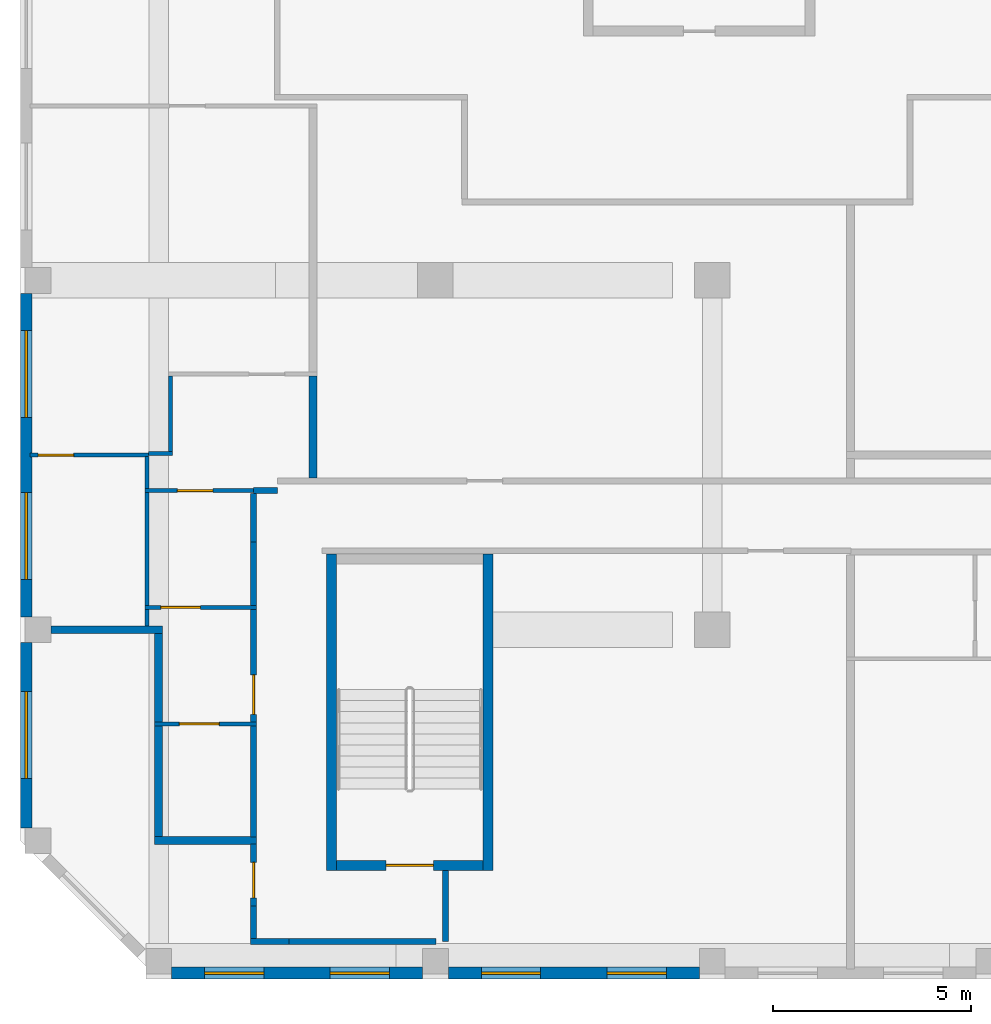
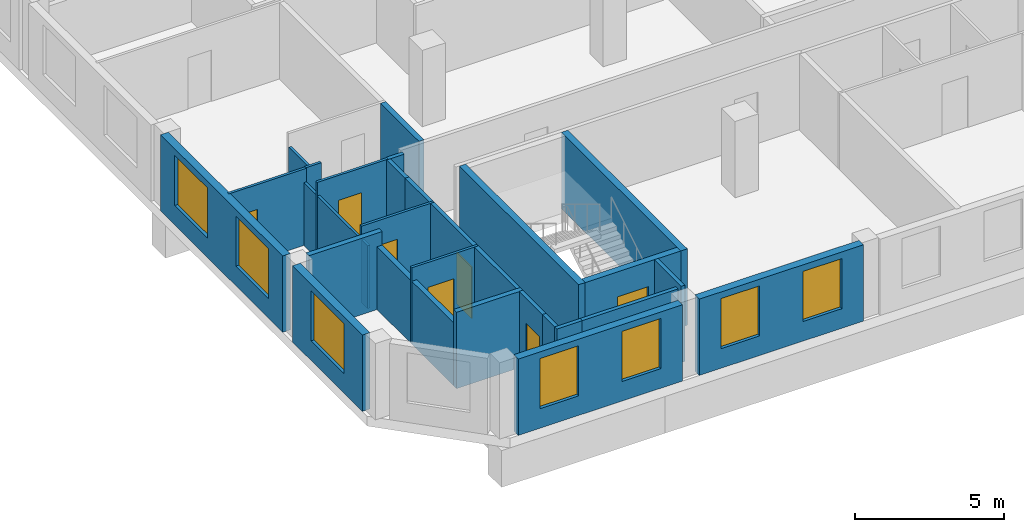
# One storey, part 2 of 13: 31 walls, 7 doors, 7 windows, 14 openings.
"""IFC4 building model written with IfcOpenShell, lengths in metres."""

from ifc_helpers import new_model, si_unit, direction, frame, frame_2d, origin, place, context, subcontext, project, spatial, rectangle, extrude, source, transform, mapped, material, layer, layer_set, type_object, element, fill, save


model = new_model("IFC4")

# Units and contexts
model_context = context("Model", 3, precision=1e-05, world=origin(), true_north=direction((0.0, 1.0)))
body_context = subcontext(model_context, "Body", "Model", "MODEL_VIEW")
ifc_project = project(units=[si_unit("LENGTHUNIT", "METRE"), si_unit("AREAUNIT", "SQUARE_METRE"), si_unit("VOLUMEUNIT", "CUBIC_METRE"), si_unit("PLANEANGLEUNIT", "RADIAN"), si_unit("MASSUNIT", "GRAM", prefix="KILO")], contexts=[model_context])

# Site, building, storey
site_placement = place(None, origin())
site = spatial("IfcSite", under=ifc_project, at=site_placement, CompositionType="ELEMENT")
building_placement = place(site_placement, origin())
building = spatial("IfcBuilding", under=site, at=building_placement, Name="Kilnfold Tower and Market Hall", CompositionType="ELEMENT")
storey_placement = place(building_placement, frame((0.0, 0.0, 267.0)))
storey = spatial("IfcBuildingStorey", under=building, at=storey_placement, Name="L65", CompositionType="ELEMENT", Elevation=267.0)

# Wall
ifc_material_1 = material(Name="Gypsum board on steel studs", Category="steel")
ifc_layer_1 = layer(ifc_material_1, 0.14990234375)
ifc_layer_set_1 = layer_set([ifc_layer_1], Name="Gypsum board on steel studs")
wall_type_1 = type_object("IfcWallType", Name="WALL CORRIDOR 150", PredefinedType="PARTITIONING", material=ifc_layer_set_1)
wall_1_placement = place(storey_placement, frame((-19.60009765625, -14.909912109375, 0.0), z_axis=(0.0, 0.0, 1.0), x_axis=(0.0, 1.0, 0.0)))
element("IfcWall", 1, at=wall_1_placement, inside=storey, type_object=wall_type_1, Name="Partition LY41.1", PredefinedType="PARTITIONING", context=body_context, shape_type="SweptSolid", body=[
    extrude(rectangle(XDim=2.81982421875, YDim=0.14990234375, at=frame_2d((1.409912109375, 0.0))), origin(), (0.0, 0.0, 1.0), 3.1201171875),
])

# Wall, opening, door
wall_2_placement = place(storey_placement, frame((-19.60009765625, -12.010009765625, 0.0), z_axis=(0.0, 0.0, 1.0), x_axis=(0.0, 1.0, 0.0)))
wall_2 = element("IfcWall", 2, at=wall_2_placement, inside=storey, type_object=wall_type_1, Name="Partition LY41.2", PredefinedType="PARTITIONING", context=body_context, shape_type="SweptSolid", body=[
    extrude(rectangle(XDim=2.8701171875, YDim=0.14990234375, at=frame_2d((1.43505859375, 0.0))), origin(), (0.0, 0.0, 1.0), 3.1201171875),
])
opening_1_placement = place(wall_2_placement, frame((0.199951171875, 0.0, 0.0)))
opening_1 = element("IfcOpeningElement", 3, at=opening_1_placement, cuts=wall_2, Name="Opening D1", PredefinedType="OPENING", context=body_context, shape_type="SweptSolid", body=[
    extrude(rectangle(XDim=1.0, YDim=2.10009765625, at=frame_2d((0.5, 1.050048828125))), frame((0.0, 0.0849609375, 0.0), z_axis=(0.0, -1.0, 0.0), x_axis=(1.0, 0.0, 0.0)), (0.0, 0.0, 1.0), 0.169921875),
])
ifc_material_2 = material(Name="Timber veneer door leaf in steel frame", Category="steel")
door_type_1 = type_object("IfcDoorType", Name="DOOR ENTRY 1000 X2100", OperationType="NOTDEFINED", PredefinedType="DOOR", material=ifc_material_2)
door_1_placement = place(opening_1_placement, origin())
door_1 = element("IfcDoor", 4, at=door_1_placement, inside=storey, type_object=door_type_1, Name="Door D1", OperationType="SINGLE_SWING_LEFT", OverallHeight=2.10009765625, OverallWidth=1.0, PredefinedType="DOOR", context=body_context, shape_type="SweptSolid", body=[
    extrude(rectangle(XDim=1.0, YDim=2.10009765625, at=frame_2d((0.5, 1.050048828125))), frame((0.0, 0.02490234375, 0.0), z_axis=(0.0, -1.0, 0.0), x_axis=(1.0, 0.0, 0.0)), (0.0, 0.0, 1.0), 0.050048828125),
])
fill(opening_1, door_1)

# Walls
wall_3_placement = place(storey_placement, frame((-19.60009765625, -9.06005859375, 0.0), z_axis=(0.0, 0.0, 1.0), x_axis=(0.0, 1.0, 0.0)))
element("IfcWall", 5, at=wall_3_placement, inside=storey, type_object=wall_type_1, Name="Partition LY41.3", PredefinedType="PARTITIONING", context=body_context, shape_type="SweptSolid", body=[
    extrude(rectangle(XDim=1.608154296875, YDim=0.14990234375, at=frame_2d((0.80419921875, 0.0))), origin(), (0.0, 0.0, 1.0), 3.1201171875),
])
wall_4_placement = place(storey_placement, frame((-19.60205078125, -7.451904296875, 0.0), z_axis=(0.0, 0.0, 1.0), x_axis=(0.0, 1.0, 0.0)))
element("IfcWall", 6, at=wall_4_placement, inside=storey, type_object=wall_type_1, Name="Partition LY41.4", PredefinedType="PARTITIONING", context=body_context, shape_type="SweptSolid", body=[
    extrude(rectangle(XDim=1.22900390625, YDim=0.14990234375, at=frame_2d((0.614501953125, 0.0))), origin(), (0.0, 0.0, 1.0), 3.1201171875),
])
wall_5_placement = place(storey_placement, frame((-19.0, -6.14794921875, 0.0), z_axis=(0.0, 0.0, 1.0), x_axis=(-1.0, 0.0, 0.0)))
element("IfcWall", 7, at=wall_5_placement, inside=storey, type_object=wall_type_1, Name="Partition LY41.5", PredefinedType="PARTITIONING", context=body_context, shape_type="SweptSolid", body=[
    extrude(rectangle(XDim=0.60205078125, YDim=0.14990234375, at=frame_2d((0.301025390625, 0.0))), origin(), (0.0, 0.0, 1.0), 3.1201171875),
])
wall_6_placement = place(storey_placement, frame((-14.75, -17.550048828125, 0.0), z_axis=(0.0, 0.0, 1.0), x_axis=(0.0, 1.0, 0.0)))
element("IfcWall", 8, at=wall_6_placement, inside=storey, type_object=wall_type_1, Name="Partition LY41.10", PredefinedType="PARTITIONING", context=body_context, shape_type="SweptSolid", body=[
    extrude(rectangle(XDim=1.800048828125, YDim=0.14990234375, at=frame_2d((0.89990234375, 0.0))), origin(), (0.0, 0.0, 1.0), 3.1201171875),
])

# Wall, opening, door
wall_7_placement = place(storey_placement, frame((-19.60009765625, -16.64794921875, 0.0), z_axis=(0.0, 0.0, 1.0), x_axis=(0.0, 1.0, 0.0)))
wall_7 = element("IfcWall", 9, at=wall_7_placement, inside=storey, type_object=wall_type_1, Name="Partition LY41.11", PredefinedType="PARTITIONING", context=body_context, shape_type="SweptSolid", body=[
    extrude(rectangle(XDim=1.557861328125, YDim=0.14990234375, at=frame_2d((0.77880859375, 0.0))), origin(), (0.0, 0.0, 1.0), 3.1201171875),
])
opening_2_placement = place(wall_7_placement, frame((0.199951171875, 0.0, 0.0)))
opening_2 = element("IfcOpeningElement", 10, at=opening_2_placement, cuts=wall_7, Name="Opening D2", PredefinedType="OPENING", context=body_context, shape_type="SweptSolid", body=[
    extrude(rectangle(XDim=0.89990234375, YDim=2.10009765625, at=frame_2d((0.449951171875, 1.050048828125))), frame((0.0, 0.0849609375, 0.0), z_axis=(0.0, -1.0, 0.0), x_axis=(1.0, 0.0, 0.0)), (0.0, 0.0, 1.0), 0.169921875),
])
ifc_material_3 = material(Name="Timber veneer door leaf in steel frame", Category="steel")
door_type_2 = type_object("IfcDoorType", Name="DOOR ROOM 900 X2100", OperationType="NOTDEFINED", PredefinedType="DOOR", material=ifc_material_3)
door_2_placement = place(opening_2_placement, origin())
door_2 = element("IfcDoor", 11, at=door_2_placement, inside=storey, type_object=door_type_2, Name="Door D2", OperationType="SINGLE_SWING_LEFT", OverallHeight=2.10009765625, OverallWidth=0.89990234375, PredefinedType="DOOR", context=body_context, shape_type="SweptSolid", body=[
    extrude(rectangle(XDim=0.89990234375, YDim=2.10009765625, at=frame_2d((0.449951171875, 1.050048828125))), frame((0.0, 0.02490234375, 0.0), z_axis=(0.0, -1.0, 0.0), x_axis=(1.0, 0.0, 0.0)), (0.0, 0.0, 1.0), 0.050048828125),
])
fill(opening_2, door_2)

# Walls
wall_8_placement = place(storey_placement, frame((-18.697998046875, -17.550048828125, 0.0), z_axis=(0.0, 0.0, 1.0), x_axis=(1.0, 0.0, 0.0)))
element("IfcWall", 12, at=wall_8_placement, inside=storey, type_object=wall_type_1, Name="Partition LY41.12", PredefinedType="PARTITIONING", context=body_context, shape_type="SweptSolid", body=[
    extrude(rectangle(XDim=3.7080078125, YDim=0.14990234375, at=frame_2d((1.85400390625, 0.0))), origin(), (0.0, 0.0, 1.0), 3.1201171875),
])
wall_9_placement = place(storey_placement, frame((-19.677001953125, -17.552001953125, 0.0), z_axis=(0.0, 0.0, 1.0), x_axis=(1.0, 0.0, 0.0)))
element("IfcWall", 13, at=wall_9_placement, inside=storey, type_object=wall_type_1, Name="Partition LY41.13", PredefinedType="PARTITIONING", context=body_context, shape_type="SweptSolid", body=[
    extrude(rectangle(XDim=0.97900390625, YDim=0.14990234375, at=frame_2d((0.489501953125, 0.0))), origin(), (0.0, 0.0, 1.0), 3.1201171875),
])
wall_10_placement = place(storey_placement, frame((-19.60205078125, -17.47705078125, 0.0), z_axis=(0.0, 0.0, 1.0), x_axis=(0.0, 1.0, 0.0)))
element("IfcWall", 14, at=wall_10_placement, inside=storey, type_object=wall_type_1, Name="Partition LY41.14", PredefinedType="PARTITIONING", context=body_context, shape_type="SweptSolid", body=[
    extrude(rectangle(XDim=0.8291015625, YDim=0.14990234375, at=frame_2d((0.41455078125, 0.0))), origin(), (0.0, 0.0, 1.0), 3.1201171875),
])

# Wall, opening, door
ifc_material_4 = material(Name="Gypsum board on steel studs", Category="steel")
ifc_layer_2 = layer(ifc_material_4, 0.10009765625)
ifc_layer_set_2 = layer_set([ifc_layer_2], Name="Gypsum board on steel studs")
wall_type_2 = type_object("IfcWallType", Name="WALL PARTITION 100", PredefinedType="PARTITIONING", material=ifc_layer_set_2)
wall_11_placement = place(storey_placement, frame((-19.527099609375, -12.050048828125, 0.0), z_axis=(0.0, 0.0, 1.0), x_axis=(-1.0, 0.0, 0.0)))
wall_11 = element("IfcWall", 15, at=wall_11_placement, inside=storey, type_object=wall_type_2, Name="Partition LY41.37", PredefinedType="PARTITIONING", context=body_context, shape_type="SweptSolid", body=[
    extrude(rectangle(XDim=2.572998046875, YDim=0.10009765625, at=frame_2d((1.28662109375, 0.0))), origin(), (0.0, 0.0, 1.0), 3.1201171875),
])
opening_3_placement = place(wall_11_placement, frame((0.946044921875, 0.0, 0.0)))
opening_3 = element("IfcOpeningElement", 16, at=opening_3_placement, cuts=wall_11, Name="Opening D1", PredefinedType="OPENING", context=body_context, shape_type="SweptSolid", body=[
    extrude(rectangle(XDim=1.0, YDim=2.10009765625, at=frame_2d((0.5, 1.050048828125))), frame((0.0, 0.06005859375, 0.0), z_axis=(0.0, -1.0, 0.0), x_axis=(1.0, 0.0, 0.0)), (0.0, 0.0, 1.0), 0.1201171875),
])
door_3_placement = place(opening_3_placement, origin())
door_3 = element("IfcDoor", 17, at=door_3_placement, inside=storey, type_object=door_type_1, Name="Door D1", OperationType="SINGLE_SWING_LEFT", OverallHeight=2.10009765625, OverallWidth=1.0, PredefinedType="DOOR", context=body_context, shape_type="SweptSolid", body=[
    extrude(rectangle(XDim=1.0, YDim=2.10009765625, at=frame_2d((0.5, 1.050048828125))), frame((0.0, 0.02490234375, 0.0), z_axis=(0.0, -1.0, 0.0), x_axis=(1.0, 0.0, 0.0)), (0.0, 0.0, 1.0), 0.050048828125),
])
fill(opening_3, door_3)

wall_12_placement = place(storey_placement, frame((-19.527099609375, -9.10009765625, 0.0), z_axis=(0.0, 0.0, 1.0), x_axis=(-1.0, 0.0, 0.0)))
wall_12 = element("IfcWall", 18, at=wall_12_placement, inside=storey, type_object=wall_type_2, Name="Partition LY41.40", PredefinedType="PARTITIONING", context=body_context, shape_type="SweptSolid", body=[
    extrude(rectangle(XDim=2.822998046875, YDim=0.10009765625, at=frame_2d((1.41162109375, 0.0))), origin(), (0.0, 0.0, 1.0), 3.1201171875),
])
opening_4_placement = place(wall_12_placement, frame((1.419921875, 0.0, 0.0)))
opening_4 = element("IfcOpeningElement", 19, at=opening_4_placement, cuts=wall_12, Name="Opening D1", PredefinedType="OPENING", context=body_context, shape_type="SweptSolid", body=[
    extrude(rectangle(XDim=1.0, YDim=2.10009765625, at=frame_2d((0.5, 1.050048828125))), frame((0.0, 0.06005859375, 0.0), z_axis=(0.0, -1.0, 0.0), x_axis=(1.0, 0.0, 0.0)), (0.0, 0.0, 1.0), 0.1201171875),
])
door_4_placement = place(opening_4_placement, origin())
door_4 = element("IfcDoor", 20, at=door_4_placement, inside=storey, type_object=door_type_1, Name="Door D1", OperationType="SINGLE_SWING_LEFT", OverallHeight=2.10009765625, OverallWidth=1.0, PredefinedType="DOOR", context=body_context, shape_type="SweptSolid", body=[
    extrude(rectangle(XDim=1.0, YDim=2.10009765625, at=frame_2d((0.5, 1.050048828125))), frame((0.0, 0.02490234375, 0.0), z_axis=(0.0, -1.0, 0.0), x_axis=(1.0, 0.0, 0.0)), (0.0, 0.0, 1.0), 0.050048828125),
])
fill(opening_4, door_4)

# Wall
wall_13_placement = place(storey_placement, frame((-22.300048828125, -9.56689453125, 0.0), z_axis=(0.0, 0.0, 1.0), x_axis=(0.0, 1.0, 0.0)))
element("IfcWall", 21, at=wall_13_placement, inside=storey, type_object=wall_type_2, Name="Partition LY41.41", PredefinedType="PARTITIONING", context=body_context, shape_type="SweptSolid", body=[
    extrude(rectangle(XDim=0.4169921875, YDim=0.10009765625, at=frame_2d((0.20849609375, 0.0))), origin(), (0.0, 0.0, 1.0), 2.570068359375),
])

# Wall, opening, door
wall_14_placement = place(storey_placement, frame((-19.60205078125, -6.14990234375, 0.0), z_axis=(0.0, 0.0, 1.0), x_axis=(-1.0, 0.0, 0.0)))
wall_14 = element("IfcWall", 22, at=wall_14_placement, inside=storey, type_object=wall_type_2, Name="Partition LY41.43", PredefinedType="PARTITIONING", context=body_context, shape_type="SweptSolid", body=[
    extrude(rectangle(XDim=2.748046875, YDim=0.10009765625, at=frame_2d((1.3740234375, 0.0))), origin(), (0.0, 0.0, 1.0), 3.1201171875),
])
opening_5_placement = place(wall_14_placement, frame((1.027099609375, 0.0, 0.0)))
opening_5 = element("IfcOpeningElement", 23, at=opening_5_placement, cuts=wall_14, Name="Opening D2", PredefinedType="OPENING", context=body_context, shape_type="SweptSolid", body=[
    extrude(rectangle(XDim=0.89990234375, YDim=2.10009765625, at=frame_2d((0.449951171875, 1.050048828125))), frame((0.0, 0.06005859375, 0.0), z_axis=(0.0, -1.0, 0.0), x_axis=(1.0, 0.0, 0.0)), (0.0, 0.0, 1.0), 0.1201171875),
])
door_5_placement = place(opening_5_placement, origin())
door_5 = element("IfcDoor", 24, at=door_5_placement, inside=storey, type_object=door_type_2, Name="Door D2", OperationType="SINGLE_SWING_LEFT", OverallHeight=2.10009765625, OverallWidth=0.89990234375, PredefinedType="DOOR", context=body_context, shape_type="SweptSolid", body=[
    extrude(rectangle(XDim=0.89990234375, YDim=2.10009765625, at=frame_2d((0.449951171875, 1.050048828125))), frame((0.0, 0.02490234375, 0.0), z_axis=(0.0, -1.0, 0.0), x_axis=(1.0, 0.0, 0.0)), (0.0, 0.0, 1.0), 0.050048828125),
])
fill(opening_5, door_5)

# Walls
wall_15_placement = place(storey_placement, frame((-22.300048828125, -9.050048828125, 0.0), z_axis=(0.0, 0.0, 1.0), x_axis=(0.0, 1.0, 0.0)))
element("IfcWall", 25, at=wall_15_placement, inside=storey, type_object=wall_type_2, Name="Partition LY41.44", PredefinedType="PARTITIONING", context=body_context, shape_type="SweptSolid", body=[
    extrude(rectangle(XDim=2.85009765625, YDim=0.10009765625, at=frame_2d((1.425048828125, 0.0))), origin(), (0.0, 0.0, 1.0), 2.570068359375),
])
wall_16_placement = place(storey_placement, frame((-22.300048828125, -6.10009765625, 0.0), z_axis=(0.0, 0.0, 1.0), x_axis=(0.0, 1.0, 0.0)))
element("IfcWall", 26, at=wall_16_placement, inside=storey, type_object=wall_type_2, Name="Partition LY41.45", PredefinedType="PARTITIONING", context=body_context, shape_type="SweptSolid", body=[
    extrude(rectangle(XDim=0.81005859375, YDim=0.10009765625, at=frame_2d((0.405029296875, 0.0))), origin(), (0.0, 0.0, 1.0), 2.570068359375),
])
wall_17_placement = place(storey_placement, frame((-21.64990234375, -5.2119140625, 0.0), z_axis=(0.0, 0.0, 1.0), x_axis=(-1.0, 0.0, 0.0)))
element("IfcWall", 27, at=wall_17_placement, inside=storey, type_object=wall_type_2, Name="Partition LY41.46", PredefinedType="PARTITIONING", context=body_context, shape_type="SweptSolid", body=[
    extrude(rectangle(XDim=0.60205078125, YDim=0.10009765625, at=frame_2d((0.301025390625, 0.0))), origin(), (0.0, 0.0, 1.0), 3.1201171875),
])
wall_18_placement = place(storey_placement, frame((-21.699951171875, -5.162109375, 0.0), z_axis=(0.0, 0.0, 1.0), x_axis=(0.0, 1.0, 0.0)))
element("IfcWall", 28, at=wall_18_placement, inside=storey, type_object=wall_type_2, Name="Partition LY41.47", PredefinedType="PARTITIONING", context=body_context, shape_type="SweptSolid", body=[
    extrude(rectangle(XDim=1.912109375, YDim=0.10009765625, at=frame_2d((0.9560546875, 0.0))), origin(), (0.0, 0.0, 1.0), 2.570068359375),
])

# Wall, opening, door
wall_19_placement = place(storey_placement, frame((-22.251953125, -5.25, 0.0), z_axis=(0.0, 0.0, 1.0), x_axis=(-1.0, 0.0, 0.0)))
wall_19 = element("IfcWall", 29, at=wall_19_placement, inside=storey, type_object=wall_type_2, Name="Partition LY41.50", PredefinedType="PARTITIONING", context=body_context, shape_type="SweptSolid", body=[
    extrude(rectangle(XDim=2.998046875, YDim=0.10009765625, at=frame_2d((1.4990234375, 0.0))), origin(), (0.0, 0.0, 1.0), 3.1201171875),
])
opening_6_placement = place(wall_19_placement, frame((1.89794921875, 0.0, 0.0)))
opening_6 = element("IfcOpeningElement", 30, at=opening_6_placement, cuts=wall_19, Name="Opening D2", PredefinedType="OPENING", context=body_context, shape_type="SweptSolid", body=[
    extrude(rectangle(XDim=0.89990234375, YDim=2.10009765625, at=frame_2d((0.449951171875, 1.050048828125))), frame((0.0, 0.06005859375, 0.0), z_axis=(0.0, -1.0, 0.0), x_axis=(1.0, 0.0, 0.0)), (0.0, 0.0, 1.0), 0.1201171875),
])
door_6_placement = place(opening_6_placement, origin())
door_6 = element("IfcDoor", 31, at=door_6_placement, inside=storey, type_object=door_type_2, Name="Door D2", OperationType="SINGLE_SWING_LEFT", OverallHeight=2.10009765625, OverallWidth=0.89990234375, PredefinedType="DOOR", context=body_context, shape_type="SweptSolid", body=[
    extrude(rectangle(XDim=0.89990234375, YDim=2.10009765625, at=frame_2d((0.449951171875, 1.050048828125))), frame((0.0, 0.02490234375, 0.0), z_axis=(0.0, -1.0, 0.0), x_axis=(1.0, 0.0, 0.0)), (0.0, 0.0, 1.0), 0.050048828125),
])
fill(opening_6, door_6)

# Walls
ifc_material_5 = material(Name="Gypsum board on steel studs", Category="steel")
ifc_layer_3 = layer(ifc_material_5, 0.199951171875)
ifc_layer_set_3 = layer_set([ifc_layer_3], Name="Gypsum board on steel studs")
wall_type_3 = type_object("IfcWallType", Name="WALL PARTY 200", PredefinedType="PARTITIONING", material=ifc_layer_set_3)
wall_20_placement = place(storey_placement, frame((-22.0, -14.89990234375, 0.0), z_axis=(0.0, 0.0, 1.0), x_axis=(0.0, 1.0, 0.0)))
element("IfcWall", 32, at=wall_20_placement, inside=storey, type_object=wall_type_3, Name="Partition LY41.38", PredefinedType="PARTITIONING", context=body_context, shape_type="SweptSolid", body=[
    extrude(rectangle(XDim=2.7998046875, YDim=0.199951171875, at=frame_2d((1.39990234375, 0.0))), origin(), (0.0, 0.0, 1.0), 2.570068359375),
])
wall_21_placement = place(storey_placement, frame((-22.10009765625, -15.0, 0.0), z_axis=(0.0, 0.0, 1.0), x_axis=(1.0, 0.0, 0.0)))
element("IfcWall", 33, at=wall_21_placement, inside=storey, type_object=wall_type_3, Name="Partition LY41.39", PredefinedType="PARTITIONING", context=body_context, shape_type="SweptSolid", body=[
    extrude(rectangle(XDim=2.572998046875, YDim=0.199951171875, at=frame_2d((1.28662109375, 0.0))), origin(), (0.0, 0.0, 1.0), 3.1201171875),
])
wall_22_placement = place(storey_placement, frame((-22.0, -12.0, 0.0), z_axis=(0.0, 0.0, 1.0), x_axis=(0.0, 1.0, 0.0)))
element("IfcWall", 34, at=wall_22_placement, inside=storey, type_object=wall_type_3, Name="Partition LY41.42", PredefinedType="PARTITIONING", context=body_context, shape_type="SweptSolid", body=[
    extrude(rectangle(XDim=2.23291015625, YDim=0.199951171875, at=frame_2d((1.116455078125, 0.0))), origin(), (0.0, 0.0, 1.0), 2.570068359375),
])
wall_23_placement = place(storey_placement, frame((-18.10009765625, -5.822998046875, 0.0), z_axis=(0.0, 0.0, 1.0), x_axis=(0.0, 1.0, 0.0)))
element("IfcWall", 35, at=wall_23_placement, inside=storey, type_object=wall_type_3, Name="Partition LY41.49", PredefinedType="PARTITIONING", context=body_context, shape_type="SweptSolid", body=[
    extrude(rectangle(XDim=2.572998046875, YDim=0.199951171875, at=frame_2d((1.28662109375, 0.0))), origin(), (0.0, 0.0, 1.0), 3.1201171875),
])
wall_24_placement = place(storey_placement, frame((-24.72509765625, -9.6669921875, 0.0), z_axis=(0.0, 0.0, 1.0), x_axis=(1.0, 0.0, 0.0)))
element("IfcWall", 36, at=wall_24_placement, inside=storey, type_object=wall_type_3, Name="Partition LY41.51", PredefinedType="PARTITIONING", context=body_context, shape_type="SweptSolid", body=[
    extrude(rectangle(XDim=2.8251953125, YDim=0.199951171875, at=frame_2d((1.41259765625, 0.0))), origin(), (0.0, 0.0, 1.0), 3.1201171875),
])

# Wall, opening, door
ifc_material_6 = material(Name="Concrete C50", Category="concrete")
ifc_layer_4 = layer(ifc_material_6, 0.25)
ifc_layer_set_4 = layer_set([ifc_layer_4], Name="Concrete C50")
wall_type_4 = type_object("IfcWallType", Name="CORE WALL 250 C50", PredefinedType="SHEAR", material=ifc_layer_set_4)
shared_shape_1 = source(origin(), body_context, "Body", "SweptSolid", [
    extrude(rectangle(XDim=3.699951171875, YDim=0.25, at=frame_2d((1.85009765625, 0.0))), origin(), (0.0, 0.0, 1.0), 3.1201171875),
])
wall_25_placement = place(storey_placement, frame((-17.5, -15.625, 0.0), z_axis=(0.0, 0.0, 1.0), x_axis=(1.0, 0.0, 0.0)))
wall_25 = element("IfcWall", 37, at=wall_25_placement, inside=storey, type_object=wall_type_4, Name="Stair enclosure ST3", PredefinedType="SHEAR", context=body_context, shape_type="MappedRepresentation", body=[
    mapped(shared_shape_1, transform((0.0, 0.0, 0.0))),
])
opening_7_placement = place(wall_25_placement, frame((1.25, 0.0, 0.0)))
opening_7 = element("IfcOpeningElement", 38, at=opening_7_placement, cuts=wall_25, Name="Opening SD1", PredefinedType="OPENING", context=body_context, shape_type="SweptSolid", body=[
    extrude(rectangle(XDim=1.199951171875, YDim=2.10009765625, at=frame_2d((0.60009765625, 1.050048828125))), frame((0.0, 0.135009765625, 0.0), z_axis=(0.0, -1.0, 0.0), x_axis=(1.0, 0.0, 0.0)), (0.0, 0.0, 1.0), 0.27001953125),
])
ifc_material_7 = material(Name="Steel door set with fire-resisting leaf", Category="steel")
door_type_3 = type_object("IfcDoorType", Name="STAIR FLOOR DOOR 1200X2100", OperationType="NOTDEFINED", PredefinedType="DOOR", material=ifc_material_7)
door_7_placement = place(opening_7_placement, origin())
door_7 = element("IfcDoor", 39, at=door_7_placement, inside=storey, type_object=door_type_3, Name="Exit stair ST3 door", OperationType="DOUBLE_DOOR_SINGLE_SWING", OverallHeight=2.10009765625, OverallWidth=1.199951171875, PredefinedType="DOOR", context=body_context, shape_type="SweptSolid", body=[
    extrude(rectangle(XDim=1.199951171875, YDim=2.10009765625, at=frame_2d((0.60009765625, 1.050048828125))), frame((0.0, 0.02490234375, 0.0), z_axis=(0.0, -1.0, 0.0), x_axis=(1.0, 0.0, 0.0)), (0.0, 0.0, 1.0), 0.050048828125),
])
fill(opening_7, door_7)

# Walls
shared_shape_2 = source(origin(), body_context, "Body", "SweptSolid", [
    extrude(rectangle(XDim=8.0, YDim=0.25, at=frame_2d((4.0, 0.0))), origin(), (0.0, 0.0, 1.0), 3.1201171875),
])
for number, where, z_axis, x_axis, name in (
    (40, (-17.625, -15.75, 0.0), (0.0, 0.0, 1.0), (0.0, 1.0, 0.0), "Stair enclosure ST3"),
    (41, (-13.675048828125, -15.75, 0.0), (0.0, 0.0, 1.0), (0.0, 1.0, 0.0), "Stair enclosure ST3"),
):
    element("IfcWall", number, at=place(storey_placement, frame(where, z_axis=z_axis, x_axis=x_axis)), inside=storey, type_object=wall_type_4, Name=name, PredefinedType="SHEAR", context=body_context, shape_type="MappedRepresentation", body=[
        mapped(shared_shape_2, transform((0.0, 0.0, 0.0))),
    ])

# Wall, openings, windows
ifc_material_8 = material(Name="Precast concrete C50/60", Category="concrete")
ifc_layer_5 = layer(ifc_material_8, 0.300048828125)
ifc_layer_set_5 = layer_set([ifc_layer_5], Name="Precast concrete C50/60")
wall_type_5 = type_object("IfcWallType", Name="PRECAST WALL 300", PredefinedType="SOLIDWALL", material=ifc_layer_set_5)
shared_shape_3 = source(origin(), body_context, "Body", "SweptSolid", [
    extrude(rectangle(XDim=6.35009765625, YDim=0.300048828125, at=frame_2d((3.175048828125, 0.0))), origin(), (0.0, 0.0, 1.0), 3.1201171875),
])
wall_26_placement = place(storey_placement, frame((-21.675048828125, -18.35009765625, 0.0), z_axis=(0.0, 0.0, 1.0), x_axis=(1.0, 0.0, 0.0)))
wall_26 = element("IfcWall", 42, at=wall_26_placement, inside=storey, type_object=wall_type_5, Name="External wall L65 S", PredefinedType="SOLIDWALL", context=body_context, shape_type="MappedRepresentation", body=[
    mapped(shared_shape_3, transform((0.0, 0.0, 0.0))),
])
opening_8_placement = place(wall_26_placement, frame((0.83740234375, 0.0, 0.800048828125)))
opening_8 = element("IfcOpeningElement", 43, at=opening_8_placement, cuts=wall_26, Name="Opening W5", PredefinedType="OPENING", context=body_context, shape_type="SweptSolid", body=[
    extrude(rectangle(XDim=1.5, YDim=2.050048828125, at=frame_2d((0.75, 1.02490234375))), frame((0.0, 0.16015625, 0.0), z_axis=(0.0, -1.0, 0.0), x_axis=(1.0, 0.0, 0.0)), (0.0, 0.0, 1.0), 0.320068359375),
])
opening_9_placement = place(wall_26_placement, frame((4.012451171875, 0.0, 0.800048828125)))
opening_9 = element("IfcOpeningElement", 44, at=opening_9_placement, cuts=wall_26, Name="Opening W5", PredefinedType="OPENING", context=body_context, shape_type="SweptSolid", body=[
    extrude(rectangle(XDim=1.5, YDim=2.050048828125, at=frame_2d((0.75, 1.02490234375))), frame((0.0, 0.16015625, 0.0), z_axis=(0.0, -1.0, 0.0), x_axis=(1.0, 0.0, 0.0)), (0.0, 0.0, 1.0), 0.320068359375),
])
ifc_material_9 = material(Name="Aluminium frame and double glazing", Category="aluminium")
window_type_1 = type_object("IfcWindowType", Name="WINDOW W5 1500X2050", PartitioningType="SINGLE_PANEL", PredefinedType="WINDOW", material=ifc_material_9)
window_1_placement = place(opening_8_placement, origin())
window_1 = element("IfcWindow", 45, at=window_1_placement, inside=storey, type_object=window_type_1, Name="Window W5 L65 S-1", OverallHeight=2.050048828125, OverallWidth=1.5, PartitioningType="SINGLE_PANEL", PredefinedType="WINDOW", context=body_context, shape_type="SweptSolid", body=[
    extrude(rectangle(XDim=1.5, YDim=2.050048828125, at=frame_2d((0.75, 1.02490234375))), frame((0.0, 0.030029296875, 0.0), z_axis=(0.0, -1.0, 0.0), x_axis=(1.0, 0.0, 0.0)), (0.0, 0.0, 1.0), 0.06005859375),
])
fill(opening_8, window_1)
window_2_placement = place(opening_9_placement, origin())
window_2 = element("IfcWindow", 46, at=window_2_placement, inside=storey, type_object=window_type_1, Name="Window W5 L65 S-2", OverallHeight=2.050048828125, OverallWidth=1.5, PartitioningType="SINGLE_PANEL", PredefinedType="WINDOW", context=body_context, shape_type="SweptSolid", body=[
    extrude(rectangle(XDim=1.5, YDim=2.050048828125, at=frame_2d((0.75, 1.02490234375))), frame((0.0, 0.030029296875, 0.0), z_axis=(0.0, -1.0, 0.0), x_axis=(1.0, 0.0, 0.0)), (0.0, 0.0, 1.0), 0.06005859375),
])
fill(opening_9, window_2)

wall_27_placement = place(storey_placement, frame((-14.675048828125, -18.35009765625, 0.0), z_axis=(0.0, 0.0, 1.0), x_axis=(1.0, 0.0, 0.0)))
wall_27 = element("IfcWall", 47, at=wall_27_placement, inside=storey, type_object=wall_type_5, Name="External wall L65 S", PredefinedType="SOLIDWALL", context=body_context, shape_type="MappedRepresentation", body=[
    mapped(shared_shape_3, transform((0.0, 0.0, 0.0))),
])
opening_10_placement = place(wall_27_placement, frame((0.83740234375, 0.0, 0.800048828125)))
opening_10 = element("IfcOpeningElement", 48, at=opening_10_placement, cuts=wall_27, Name="Opening W5", PredefinedType="OPENING", context=body_context, shape_type="SweptSolid", body=[
    extrude(rectangle(XDim=1.5, YDim=2.050048828125, at=frame_2d((0.75, 1.02490234375))), frame((0.0, 0.16015625, 0.0), z_axis=(0.0, -1.0, 0.0), x_axis=(1.0, 0.0, 0.0)), (0.0, 0.0, 1.0), 0.320068359375),
])
opening_11_placement = place(wall_27_placement, frame((4.012451171875, 0.0, 0.800048828125)))
opening_11 = element("IfcOpeningElement", 49, at=opening_11_placement, cuts=wall_27, Name="Opening W5", PredefinedType="OPENING", context=body_context, shape_type="SweptSolid", body=[
    extrude(rectangle(XDim=1.5, YDim=2.050048828125, at=frame_2d((0.75, 1.02490234375))), frame((0.0, 0.16015625, 0.0), z_axis=(0.0, -1.0, 0.0), x_axis=(1.0, 0.0, 0.0)), (0.0, 0.0, 1.0), 0.320068359375),
])
window_3_placement = place(opening_10_placement, origin())
window_3 = element("IfcWindow", 50, at=window_3_placement, inside=storey, type_object=window_type_1, Name="Window W5 L65 S-1", OverallHeight=2.050048828125, OverallWidth=1.5, PartitioningType="SINGLE_PANEL", PredefinedType="WINDOW", context=body_context, shape_type="SweptSolid", body=[
    extrude(rectangle(XDim=1.5, YDim=2.050048828125, at=frame_2d((0.75, 1.02490234375))), frame((0.0, 0.030029296875, 0.0), z_axis=(0.0, -1.0, 0.0), x_axis=(1.0, 0.0, 0.0)), (0.0, 0.0, 1.0), 0.06005859375),
])
fill(opening_10, window_3)
window_4_placement = place(opening_11_placement, origin())
window_4 = element("IfcWindow", 51, at=window_4_placement, inside=storey, type_object=window_type_1, Name="Window W5 L65 S-2", OverallHeight=2.050048828125, OverallWidth=1.5, PartitioningType="SINGLE_PANEL", PredefinedType="WINDOW", context=body_context, shape_type="SweptSolid", body=[
    extrude(rectangle(XDim=1.5, YDim=2.050048828125, at=frame_2d((0.75, 1.02490234375))), frame((0.0, 0.030029296875, 0.0), z_axis=(0.0, -1.0, 0.0), x_axis=(1.0, 0.0, 0.0)), (0.0, 0.0, 1.0), 0.06005859375),
])
fill(opening_11, window_4)

shared_shape_4 = source(origin(), body_context, "Body", "SweptSolid", [
    extrude(rectangle(XDim=8.18359375, YDim=0.300048828125, at=frame_2d((4.091796875, 0.0))), origin(), (0.0, 0.0, 1.0), 3.1201171875),
])
wall_28_placement = place(storey_placement, frame((-25.35009765625, -1.158203125, 0.0), z_axis=(0.0, 0.0, 1.0), x_axis=(0.0, -1.0, 0.0)))
wall_28 = element("IfcWall", 52, at=wall_28_placement, inside=storey, type_object=wall_type_5, Name="External wall L65 W", PredefinedType="SOLIDWALL", context=body_context, shape_type="MappedRepresentation", body=[
    mapped(shared_shape_4, transform((0.0, 0.0, 0.0))),
])
opening_12_placement = place(wall_28_placement, frame((0.94580078125, 0.0, 0.800048828125)))
opening_12 = element("IfcOpeningElement", 53, at=opening_12_placement, cuts=wall_28, Name="Opening W3", PredefinedType="OPENING", context=body_context, shape_type="SweptSolid", body=[
    extrude(rectangle(XDim=2.199951171875, YDim=2.050048828125, at=frame_2d((1.10009765625, 1.02490234375))), frame((0.0, 0.16015625, 0.0), z_axis=(0.0, -1.0, 0.0), x_axis=(1.0, 0.0, 0.0)), (0.0, 0.0, 1.0), 0.320068359375),
])
opening_13_placement = place(wall_28_placement, frame((5.03759765625, 0.0, 0.800048828125)))
opening_13 = element("IfcOpeningElement", 54, at=opening_13_placement, cuts=wall_28, Name="Opening W3", PredefinedType="OPENING", context=body_context, shape_type="SweptSolid", body=[
    extrude(rectangle(XDim=2.199951171875, YDim=2.050048828125, at=frame_2d((1.10009765625, 1.02490234375))), frame((0.0, 0.16015625, 0.0), z_axis=(0.0, -1.0, 0.0), x_axis=(1.0, 0.0, 0.0)), (0.0, 0.0, 1.0), 0.320068359375),
])
ifc_material_10 = material(Name="Aluminium frame and double glazing", Category="aluminium")
window_type_2 = type_object("IfcWindowType", Name="WINDOW W3 2200X2050", PartitioningType="SINGLE_PANEL", PredefinedType="WINDOW", material=ifc_material_10)
window_5_placement = place(opening_12_placement, origin())
window_5 = element("IfcWindow", 55, at=window_5_placement, inside=storey, type_object=window_type_2, Name="Window W3 L65 W-1", OverallHeight=2.050048828125, OverallWidth=2.199951171875, PartitioningType="SINGLE_PANEL", PredefinedType="WINDOW", context=body_context, shape_type="SweptSolid", body=[
    extrude(rectangle(XDim=2.199951171875, YDim=2.050048828125, at=frame_2d((1.10009765625, 1.02490234375))), frame((0.0, 0.030029296875, 0.0), z_axis=(0.0, -1.0, 0.0), x_axis=(1.0, 0.0, 0.0)), (0.0, 0.0, 1.0), 0.06005859375),
])
fill(opening_12, window_5)
window_6_placement = place(opening_13_placement, origin())
window_6 = element("IfcWindow", 56, at=window_6_placement, inside=storey, type_object=window_type_2, Name="Window W3 L65 W-2", OverallHeight=2.050048828125, OverallWidth=2.199951171875, PartitioningType="SINGLE_PANEL", PredefinedType="WINDOW", context=body_context, shape_type="SweptSolid", body=[
    extrude(rectangle(XDim=2.199951171875, YDim=2.050048828125, at=frame_2d((1.10009765625, 1.02490234375))), frame((0.0, 0.030029296875, 0.0), z_axis=(0.0, -1.0, 0.0), x_axis=(1.0, 0.0, 0.0)), (0.0, 0.0, 1.0), 0.06005859375),
])
fill(opening_13, window_6)

# Wall, opening, window
shared_shape_5 = source(origin(), body_context, "Body", "SweptSolid", [
    extrude(rectangle(XDim=4.683349609375, YDim=0.300048828125, at=frame_2d((2.341796875, 0.0))), origin(), (0.0, 0.0, 1.0), 3.1201171875),
])
wall_29_placement = place(storey_placement, frame((-25.35009765625, -9.99169921875, 0.0), z_axis=(0.0, 0.0, 1.0), x_axis=(0.0, -1.0, 0.0)))
wall_29 = element("IfcWall", 57, at=wall_29_placement, inside=storey, type_object=wall_type_5, Name="External wall L65 W", PredefinedType="SOLIDWALL", context=body_context, shape_type="MappedRepresentation", body=[
    mapped(shared_shape_5, transform((0.0, 0.0, 0.0))),
])
opening_14_placement = place(wall_29_placement, frame((1.24169921875, 0.0, 0.800048828125)))
opening_14 = element("IfcOpeningElement", 58, at=opening_14_placement, cuts=wall_29, Name="Opening W3", PredefinedType="OPENING", context=body_context, shape_type="SweptSolid", body=[
    extrude(rectangle(XDim=2.199951171875, YDim=2.050048828125, at=frame_2d((1.10009765625, 1.02490234375))), frame((0.0, 0.16015625, 0.0), z_axis=(0.0, -1.0, 0.0), x_axis=(1.0, 0.0, 0.0)), (0.0, 0.0, 1.0), 0.320068359375),
])
window_7_placement = place(opening_14_placement, origin())
window_7 = element("IfcWindow", 59, at=window_7_placement, inside=storey, type_object=window_type_2, Name="Window W3 L65 W-1", OverallHeight=2.050048828125, OverallWidth=2.199951171875, PartitioningType="SINGLE_PANEL", PredefinedType="WINDOW", context=body_context, shape_type="SweptSolid", body=[
    extrude(rectangle(XDim=2.199951171875, YDim=2.050048828125, at=frame_2d((1.10009765625, 1.02490234375))), frame((0.0, 0.030029296875, 0.0), z_axis=(0.0, -1.0, 0.0), x_axis=(1.0, 0.0, 0.0)), (0.0, 0.0, 1.0), 0.06005859375),
])
fill(opening_14, window_7)

save(model, "model.ifc")
